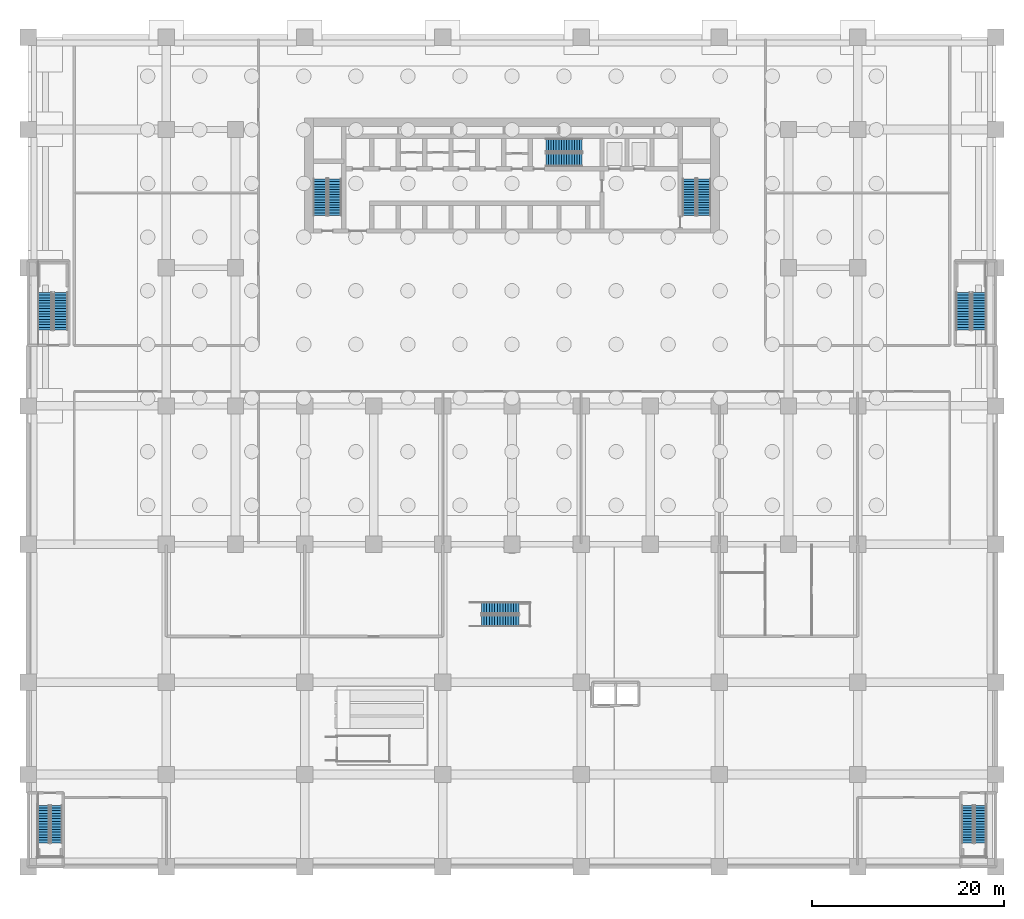
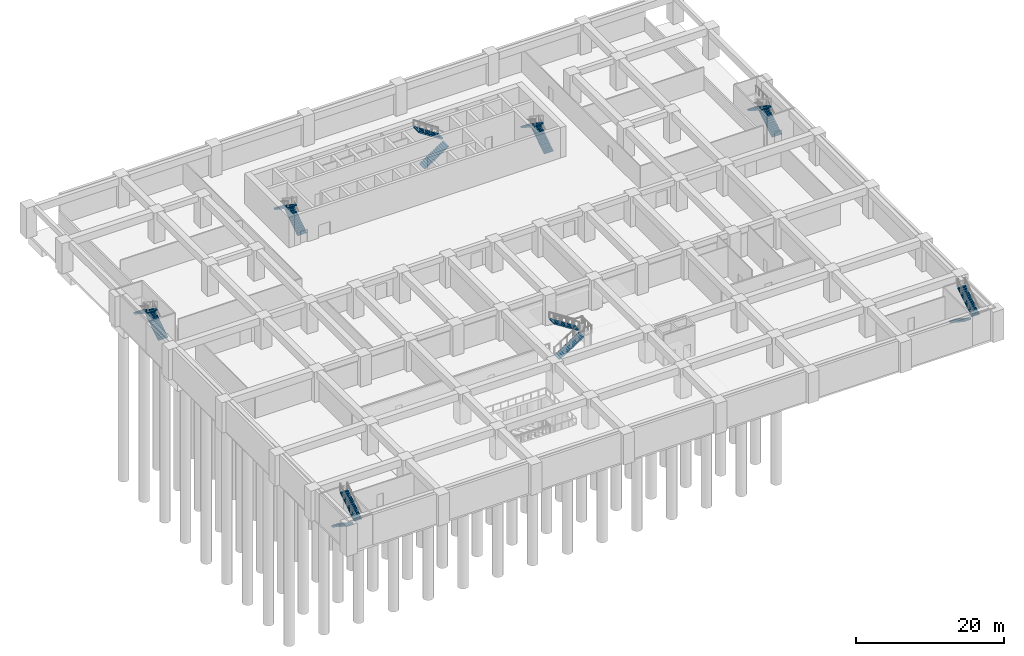
# One storey, part 10 of 20: 16 stair flights, 8 elements without a shape of their own.
"""IFC4 building model written with IfcOpenShell, lengths in metres."""

from ifc_helpers import new_model, si_unit, direction, frame, origin, place, context, subcontext, project, spatial, polyline, outline, extrude, material, layer, layer_set, type_object, element, aggregate, save


model = new_model("IFC4")

# Units and contexts
model_context = context("Model", 3, precision=1e-05, world=origin(), true_north=direction((0.0, 1.0)))
body_context = subcontext(model_context, "Body", "Model", "MODEL_VIEW")
ifc_project = project(units=[si_unit("LENGTHUNIT", "METRE"), si_unit("AREAUNIT", "SQUARE_METRE"), si_unit("VOLUMEUNIT", "CUBIC_METRE"), si_unit("PLANEANGLEUNIT", "RADIAN"), si_unit("MASSUNIT", "GRAM", prefix="KILO")], contexts=[model_context])

# Site, building, storey
site_placement = place(None, origin())
site = spatial("IfcSite", under=ifc_project, at=site_placement, CompositionType="ELEMENT")
building_placement = place(site_placement, origin())
building = spatial("IfcBuilding", under=site, at=building_placement, Name="Saffron Iwan Residences", CompositionType="ELEMENT")
storey_placement = place(building_placement, frame((0.0, 0.0, -5.39990234375)))
storey = spatial("IfcBuildingStorey", under=building, at=storey_placement, Name="B1", CompositionType="ELEMENT", Elevation=-5.39990234375)

# Stair, stair flights
ifc_material_1 = material(Name="Concrete C40/50", Category="concrete")
stair_type_1 = type_object("IfcStairType", Name="Podium stair, reinforced concrete", PredefinedType="HALF_TURN_STAIR", material=ifc_material_1)
stair_1_placement = place(storey_placement, origin())
stair_1 = element("IfcStair", 1, at=stair_1_placement, inside=storey, type_object=stair_type_1, Name="B1 Station Escape Stair 1", PredefinedType="HALF_TURN_STAIR")
stair_flight_type_1 = type_object("IfcStairFlightType", Name="Podium stair flight, reinforced concrete", PredefinedType="STRAIGHT", material=ifc_material_1)
stair_flight_1_placement = place(storey_placement, frame((1.60009765625, 6.39990234375, 0.0), z_axis=(0.0, 0.0, 1.0), x_axis=(0.0, -1.0, 0.0)))
stair_flight_1 = element("IfcStairFlight", 2, at=stair_flight_1_placement, type_object=stair_flight_type_1, Name="SE1 flight 1", NumberOfRisers=15, NumberOfTreads=14, PredefinedType="STRAIGHT", RiserHeight=0.18, TreadLength=0.28, context=body_context, shape_type="SweptSolid", body=[
    extrude(outline(polyline([(0.0, 0.0), (0.0, 0.179931640625), (0.280029296875, 0.179931640625), (0.280029296875, 0.360107421875), (0.56005859375, 0.360107421875), (0.56005859375, 0.5400390625), (0.840087890625, 0.5400390625), (0.840087890625, 0.719970703125), (1.1201171875, 0.719970703125), (1.1201171875, 0.89990234375), (1.39990234375, 0.89990234375), (1.39990234375, 1.080078125), (1.679931640625, 1.080078125), (1.679931640625, 1.260009765625), (1.9599609375, 1.260009765625), (1.9599609375, 1.43994140625), (2.239990234375, 1.43994140625), (2.239990234375, 1.6201171875), (2.52001953125, 1.6201171875), (2.52001953125, 1.800048828125), (2.800048828125, 1.800048828125), (2.800048828125, 1.97998046875), (3.080078125, 1.97998046875), (3.080078125, 2.159912109375), (3.360107421875, 2.159912109375), (3.360107421875, 2.340087890625), (3.639892578125, 2.340087890625), (3.639892578125, 2.52001953125), (3.919921875, 2.52001953125), (3.919921875, 2.699951171875), (3.919921875, 2.341796875), (0.277099609375, 0.0), (0.0, 0.0)])), frame((0.0, 0.60009765625, 0.0), z_axis=(0.0, -1.0, 0.0), x_axis=(1.0, 0.0, 0.0)), (0.0, 0.0, 1.0), 1.199951171875),
])
stair_flight_2_placement = place(storey_placement, frame((2.949951171875, 2.47998046875, 2.699951171875), z_axis=(0.0, 0.0, 1.0), x_axis=(0.0, 1.0, 0.0)))
stair_flight_2 = element("IfcStairFlight", 3, at=stair_flight_2_placement, type_object=stair_flight_type_1, Name="SE1 flight 2", NumberOfRisers=15, NumberOfTreads=14, PredefinedType="STRAIGHT", RiserHeight=0.18, TreadLength=0.28, context=body_context, shape_type="SweptSolid", body=[
    extrude(outline(polyline([(0.0, 0.0), (0.0, 0.179931640625), (0.280029296875, 0.179931640625), (0.280029296875, 0.360107421875), (0.56005859375, 0.360107421875), (0.56005859375, 0.5400390625), (0.840087890625, 0.5400390625), (0.840087890625, 0.719970703125), (1.1201171875, 0.719970703125), (1.1201171875, 0.89990234375), (1.39990234375, 0.89990234375), (1.39990234375, 1.080078125), (1.679931640625, 1.080078125), (1.679931640625, 1.260009765625), (1.9599609375, 1.260009765625), (1.9599609375, 1.43994140625), (2.239990234375, 1.43994140625), (2.239990234375, 1.6201171875), (2.52001953125, 1.6201171875), (2.52001953125, 1.800048828125), (2.800048828125, 1.800048828125), (2.800048828125, 1.97998046875), (3.080078125, 1.97998046875), (3.080078125, 2.159912109375), (3.360107421875, 2.159912109375), (3.360107421875, 2.340087890625), (3.639892578125, 2.340087890625), (3.639892578125, 2.52001953125), (3.919921875, 2.52001953125), (3.919921875, 2.699951171875), (3.919921875, 2.341796875), (0.277099609375, 0.0), (0.0, 0.0)])), frame((0.0, 0.60009765625, 0.0), z_axis=(0.0, -1.0, 0.0), x_axis=(1.0, 0.0, 0.0)), (0.0, 0.0, 1.0), 1.199951171875),
])
aggregate(stair_1, [stair_flight_1, stair_flight_2])

stair_2_placement = place(storey_placement, origin())
stair_2 = element("IfcStair", 4, at=stair_2_placement, inside=storey, type_object=stair_type_1, Name="B1 Station Escape Stair 2", PredefinedType="HALF_TURN_STAIR")
stair_flight_3_placement = place(storey_placement, frame((97.85009765625, 6.39990234375, 0.0), z_axis=(0.0, 0.0, 1.0), x_axis=(0.0, -1.0, 0.0)))
stair_flight_3 = element("IfcStairFlight", 5, at=stair_flight_3_placement, type_object=stair_flight_type_1, Name="SE2 flight 1", NumberOfRisers=15, NumberOfTreads=14, PredefinedType="STRAIGHT", RiserHeight=0.18, TreadLength=0.28, context=body_context, shape_type="SweptSolid", body=[
    extrude(outline(polyline([(0.0, 0.0), (0.0, 0.179931640625), (0.280029296875, 0.179931640625), (0.280029296875, 0.360107421875), (0.56005859375, 0.360107421875), (0.56005859375, 0.5400390625), (0.840087890625, 0.5400390625), (0.840087890625, 0.719970703125), (1.1201171875, 0.719970703125), (1.1201171875, 0.89990234375), (1.39990234375, 0.89990234375), (1.39990234375, 1.080078125), (1.679931640625, 1.080078125), (1.679931640625, 1.260009765625), (1.9599609375, 1.260009765625), (1.9599609375, 1.43994140625), (2.239990234375, 1.43994140625), (2.239990234375, 1.6201171875), (2.52001953125, 1.6201171875), (2.52001953125, 1.800048828125), (2.800048828125, 1.800048828125), (2.800048828125, 1.97998046875), (3.080078125, 1.97998046875), (3.080078125, 2.159912109375), (3.360107421875, 2.159912109375), (3.360107421875, 2.340087890625), (3.639892578125, 2.340087890625), (3.639892578125, 2.52001953125), (3.919921875, 2.52001953125), (3.919921875, 2.699951171875), (3.919921875, 2.341796875), (0.277099609375, 0.0), (0.0, 0.0)])), frame((0.0, 0.60009765625, 0.0), z_axis=(0.0, -1.0, 0.0), x_axis=(1.0, 0.0, 0.0)), (0.0, 0.0, 1.0), 1.199951171875),
])
stair_flight_4_placement = place(storey_placement, frame((99.199951171875, 2.47998046875, 2.699951171875), z_axis=(0.0, 0.0, 1.0), x_axis=(0.0, 1.0, 0.0)))
stair_flight_4 = element("IfcStairFlight", 6, at=stair_flight_4_placement, type_object=stair_flight_type_1, Name="SE2 flight 2", NumberOfRisers=15, NumberOfTreads=14, PredefinedType="STRAIGHT", RiserHeight=0.18, TreadLength=0.28, context=body_context, shape_type="SweptSolid", body=[
    extrude(outline(polyline([(0.0, 0.0), (0.0, 0.179931640625), (0.280029296875, 0.179931640625), (0.280029296875, 0.360107421875), (0.56005859375, 0.360107421875), (0.56005859375, 0.5400390625), (0.840087890625, 0.5400390625), (0.840087890625, 0.719970703125), (1.1201171875, 0.719970703125), (1.1201171875, 0.89990234375), (1.39990234375, 0.89990234375), (1.39990234375, 1.080078125), (1.679931640625, 1.080078125), (1.679931640625, 1.260009765625), (1.9599609375, 1.260009765625), (1.9599609375, 1.43994140625), (2.239990234375, 1.43994140625), (2.239990234375, 1.6201171875), (2.52001953125, 1.6201171875), (2.52001953125, 1.800048828125), (2.800048828125, 1.800048828125), (2.800048828125, 1.97998046875), (3.080078125, 1.97998046875), (3.080078125, 2.159912109375), (3.360107421875, 2.159912109375), (3.360107421875, 2.340087890625), (3.639892578125, 2.340087890625), (3.639892578125, 2.52001953125), (3.919921875, 2.52001953125), (3.919921875, 2.699951171875), (3.919921875, 2.341796875), (0.277099609375, 0.0), (0.0, 0.0)])), frame((0.0, 0.60009765625, 0.0), z_axis=(0.0, -1.0, 0.0), x_axis=(1.0, 0.0, 0.0)), (0.0, 0.0, 1.0), 1.199951171875),
])
aggregate(stair_2, [stair_flight_3, stair_flight_4])

stair_3_placement = place(storey_placement, origin())
stair_3 = element("IfcStair", 7, at=stair_3_placement, inside=storey, type_object=stair_type_1, Name="B1 Podium Stair 3", PredefinedType="HALF_TURN_STAIR")
stair_flight_5_placement = place(storey_placement, frame((3.39990234375, 55.89990234375, 0.0), z_axis=(0.0, 0.0, 1.0), x_axis=(0.0, 1.0, 0.0)))
stair_flight_5 = element("IfcStairFlight", 8, at=stair_flight_5_placement, type_object=stair_flight_type_1, Name="PS3 flight 1", NumberOfRisers=15, NumberOfTreads=14, PredefinedType="STRAIGHT", RiserHeight=0.18, TreadLength=0.28, context=body_context, shape_type="SweptSolid", body=[
    extrude(outline(polyline([(0.0, 0.0), (0.0, 0.179931640625), (0.280029296875, 0.179931640625), (0.280029296875, 0.360107421875), (0.56005859375, 0.360107421875), (0.56005859375, 0.5400390625), (0.840087890625, 0.5400390625), (0.840087890625, 0.719970703125), (1.1201171875, 0.719970703125), (1.1201171875, 0.89990234375), (1.39990234375, 0.89990234375), (1.39990234375, 1.080078125), (1.679931640625, 1.080078125), (1.679931640625, 1.260009765625), (1.9599609375, 1.260009765625), (1.9599609375, 1.43994140625), (2.239990234375, 1.43994140625), (2.239990234375, 1.6201171875), (2.52001953125, 1.6201171875), (2.52001953125, 1.800048828125), (2.800048828125, 1.800048828125), (2.800048828125, 1.97998046875), (3.080078125, 1.97998046875), (3.080078125, 2.159912109375), (3.360107421875, 2.159912109375), (3.360107421875, 2.340087890625), (3.639892578125, 2.340087890625), (3.639892578125, 2.52001953125), (3.919921875, 2.52001953125), (3.919921875, 2.699951171875), (3.919921875, 2.341796875), (0.277099609375, 0.0), (0.0, 0.0)])), frame((0.0, 0.75, 0.0), z_axis=(0.0, -1.0, 0.0), x_axis=(1.0, 0.0, 0.0)), (0.0, 0.0, 1.0), 1.5),
])
stair_flight_6_placement = place(storey_placement, frame((1.75, 59.820068359375, 2.699951171875), z_axis=(0.0, 0.0, 1.0), x_axis=(0.0, -1.0, 0.0)))
stair_flight_6 = element("IfcStairFlight", 9, at=stair_flight_6_placement, type_object=stair_flight_type_1, Name="PS3 flight 2", NumberOfRisers=15, NumberOfTreads=14, PredefinedType="STRAIGHT", RiserHeight=0.18, TreadLength=0.28, context=body_context, shape_type="SweptSolid", body=[
    extrude(outline(polyline([(0.0, 0.0), (0.0, 0.179931640625), (0.280029296875, 0.179931640625), (0.280029296875, 0.360107421875), (0.56005859375, 0.360107421875), (0.56005859375, 0.5400390625), (0.840087890625, 0.5400390625), (0.840087890625, 0.719970703125), (1.1201171875, 0.719970703125), (1.1201171875, 0.89990234375), (1.39990234375, 0.89990234375), (1.39990234375, 1.080078125), (1.679931640625, 1.080078125), (1.679931640625, 1.260009765625), (1.9599609375, 1.260009765625), (1.9599609375, 1.43994140625), (2.239990234375, 1.43994140625), (2.239990234375, 1.6201171875), (2.52001953125, 1.6201171875), (2.52001953125, 1.800048828125), (2.800048828125, 1.800048828125), (2.800048828125, 1.97998046875), (3.080078125, 1.97998046875), (3.080078125, 2.159912109375), (3.360107421875, 2.159912109375), (3.360107421875, 2.340087890625), (3.639892578125, 2.340087890625), (3.639892578125, 2.52001953125), (3.919921875, 2.52001953125), (3.919921875, 2.699951171875), (3.919921875, 2.341796875), (0.277099609375, 0.0), (0.0, 0.0)])), frame((0.0, 0.75, 0.0), z_axis=(0.0, -1.0, 0.0), x_axis=(1.0, 0.0, 0.0)), (0.0, 0.0, 1.0), 1.5),
])
aggregate(stair_3, [stair_flight_5, stair_flight_6])

stair_4_placement = place(storey_placement, origin())
stair_4 = element("IfcStair", 10, at=stair_4_placement, inside=storey, type_object=stair_type_1, Name="B1 Podium Stair 4", PredefinedType="HALF_TURN_STAIR")
stair_flight_7_placement = place(storey_placement, frame((99.050048828125, 55.89990234375, 0.0), z_axis=(0.0, 0.0, 1.0), x_axis=(0.0, 1.0, 0.0)))
stair_flight_7 = element("IfcStairFlight", 11, at=stair_flight_7_placement, type_object=stair_flight_type_1, Name="PS4 flight 1", NumberOfRisers=15, NumberOfTreads=14, PredefinedType="STRAIGHT", RiserHeight=0.18, TreadLength=0.28, context=body_context, shape_type="SweptSolid", body=[
    extrude(outline(polyline([(0.0, 0.0), (0.0, 0.179931640625), (0.280029296875, 0.179931640625), (0.280029296875, 0.360107421875), (0.56005859375, 0.360107421875), (0.56005859375, 0.5400390625), (0.840087890625, 0.5400390625), (0.840087890625, 0.719970703125), (1.1201171875, 0.719970703125), (1.1201171875, 0.89990234375), (1.39990234375, 0.89990234375), (1.39990234375, 1.080078125), (1.679931640625, 1.080078125), (1.679931640625, 1.260009765625), (1.9599609375, 1.260009765625), (1.9599609375, 1.43994140625), (2.239990234375, 1.43994140625), (2.239990234375, 1.6201171875), (2.52001953125, 1.6201171875), (2.52001953125, 1.800048828125), (2.800048828125, 1.800048828125), (2.800048828125, 1.97998046875), (3.080078125, 1.97998046875), (3.080078125, 2.159912109375), (3.360107421875, 2.159912109375), (3.360107421875, 2.340087890625), (3.639892578125, 2.340087890625), (3.639892578125, 2.52001953125), (3.919921875, 2.52001953125), (3.919921875, 2.699951171875), (3.919921875, 2.341796875), (0.277099609375, 0.0), (0.0, 0.0)])), frame((0.0, 0.75, 0.0), z_axis=(0.0, -1.0, 0.0), x_axis=(1.0, 0.0, 0.0)), (0.0, 0.0, 1.0), 1.5),
])
stair_flight_8_placement = place(storey_placement, frame((97.39990234375, 59.820068359375, 2.699951171875), z_axis=(0.0, 0.0, 1.0), x_axis=(0.0, -1.0, 0.0)))
stair_flight_8 = element("IfcStairFlight", 12, at=stair_flight_8_placement, type_object=stair_flight_type_1, Name="PS4 flight 2", NumberOfRisers=15, NumberOfTreads=14, PredefinedType="STRAIGHT", RiserHeight=0.18, TreadLength=0.28, context=body_context, shape_type="SweptSolid", body=[
    extrude(outline(polyline([(0.0, 0.0), (0.0, 0.179931640625), (0.280029296875, 0.179931640625), (0.280029296875, 0.360107421875), (0.56005859375, 0.360107421875), (0.56005859375, 0.5400390625), (0.840087890625, 0.5400390625), (0.840087890625, 0.719970703125), (1.1201171875, 0.719970703125), (1.1201171875, 0.89990234375), (1.39990234375, 0.89990234375), (1.39990234375, 1.080078125), (1.679931640625, 1.080078125), (1.679931640625, 1.260009765625), (1.9599609375, 1.260009765625), (1.9599609375, 1.43994140625), (2.239990234375, 1.43994140625), (2.239990234375, 1.6201171875), (2.52001953125, 1.6201171875), (2.52001953125, 1.800048828125), (2.800048828125, 1.800048828125), (2.800048828125, 1.97998046875), (3.080078125, 1.97998046875), (3.080078125, 2.159912109375), (3.360107421875, 2.159912109375), (3.360107421875, 2.340087890625), (3.639892578125, 2.340087890625), (3.639892578125, 2.52001953125), (3.919921875, 2.52001953125), (3.919921875, 2.699951171875), (3.919921875, 2.341796875), (0.277099609375, 0.0), (0.0, 0.0)])), frame((0.0, 0.75, 0.0), z_axis=(0.0, -1.0, 0.0), x_axis=(1.0, 0.0, 0.0)), (0.0, 0.0, 1.0), 1.5),
])
aggregate(stair_4, [stair_flight_7, stair_flight_8])

stair_5_placement = place(storey_placement, origin())
stair_5 = element("IfcStair", 13, at=stair_5_placement, inside=storey, type_object=stair_type_1, Name="B1 Station Stair 1", PredefinedType="HALF_TURN_STAIR")
stair_flight_9_placement = place(storey_placement, frame((47.199951171875, 25.60009765625, 0.0), z_axis=(0.0, 0.0, 1.0), x_axis=(1.0, 0.0, 0.0)))
stair_flight_9 = element("IfcStairFlight", 14, at=stair_flight_9_placement, type_object=stair_flight_type_1, Name="SP1 flight 1", NumberOfRisers=15, NumberOfTreads=14, PredefinedType="STRAIGHT", RiserHeight=0.18, TreadLength=0.28, context=body_context, shape_type="SweptSolid", body=[
    extrude(outline(polyline([(0.0, 0.0), (0.0, 0.179931640625), (0.280029296875, 0.179931640625), (0.280029296875, 0.360107421875), (0.56005859375, 0.360107421875), (0.56005859375, 0.5400390625), (0.840087890625, 0.5400390625), (0.840087890625, 0.719970703125), (1.1201171875, 0.719970703125), (1.1201171875, 0.89990234375), (1.39990234375, 0.89990234375), (1.39990234375, 1.080078125), (1.679931640625, 1.080078125), (1.679931640625, 1.260009765625), (1.9599609375, 1.260009765625), (1.9599609375, 1.43994140625), (2.239990234375, 1.43994140625), (2.239990234375, 1.6201171875), (2.52001953125, 1.6201171875), (2.52001953125, 1.800048828125), (2.800048828125, 1.800048828125), (2.800048828125, 1.97998046875), (3.080078125, 1.97998046875), (3.080078125, 2.159912109375), (3.360107421875, 2.159912109375), (3.360107421875, 2.340087890625), (3.639892578125, 2.340087890625), (3.639892578125, 2.52001953125), (3.919921875, 2.52001953125), (3.919921875, 2.699951171875), (3.919921875, 2.341796875), (0.277099609375, 0.0), (0.0, 0.0)])), frame((0.0, 0.60009765625, 0.0), z_axis=(0.0, -1.0, 0.0), x_axis=(1.0, 0.0, 0.0)), (0.0, 0.0, 1.0), 1.199951171875),
])
stair_flight_10_placement = place(storey_placement, frame((51.1201171875, 26.949951171875, 2.699951171875), z_axis=(0.0, 0.0, 1.0), x_axis=(-1.0, 0.0, 0.0)))
stair_flight_10 = element("IfcStairFlight", 15, at=stair_flight_10_placement, type_object=stair_flight_type_1, Name="SP1 flight 2", NumberOfRisers=15, NumberOfTreads=14, PredefinedType="STRAIGHT", RiserHeight=0.18, TreadLength=0.28, context=body_context, shape_type="SweptSolid", body=[
    extrude(outline(polyline([(0.0, 0.0), (0.0, 0.179931640625), (0.280029296875, 0.179931640625), (0.280029296875, 0.360107421875), (0.56005859375, 0.360107421875), (0.56005859375, 0.5400390625), (0.840087890625, 0.5400390625), (0.840087890625, 0.719970703125), (1.1201171875, 0.719970703125), (1.1201171875, 0.89990234375), (1.39990234375, 0.89990234375), (1.39990234375, 1.080078125), (1.679931640625, 1.080078125), (1.679931640625, 1.260009765625), (1.9599609375, 1.260009765625), (1.9599609375, 1.43994140625), (2.239990234375, 1.43994140625), (2.239990234375, 1.6201171875), (2.52001953125, 1.6201171875), (2.52001953125, 1.800048828125), (2.800048828125, 1.800048828125), (2.800048828125, 1.97998046875), (3.080078125, 1.97998046875), (3.080078125, 2.159912109375), (3.360107421875, 2.159912109375), (3.360107421875, 2.340087890625), (3.639892578125, 2.340087890625), (3.639892578125, 2.52001953125), (3.919921875, 2.52001953125), (3.919921875, 2.699951171875), (3.919921875, 2.341796875), (0.277099609375, 0.0), (0.0, 0.0)])), frame((0.0, 0.60009765625, 0.0), z_axis=(0.0, -1.0, 0.0), x_axis=(1.0, 0.0, 0.0)), (0.0, 0.0, 1.0), 1.199951171875),
])
aggregate(stair_5, [stair_flight_9, stair_flight_10])

ifc_material_2 = material(Name="Concrete C50/60", Category="concrete")
stair_type_2 = type_object("IfcStairType", Name="Stair ST-CORE", PredefinedType="HALF_TURN_STAIR", material=ifc_material_2)
stair_6_placement = place(storey_placement, origin())
stair_6 = element("IfcStair", 16, at=stair_6_placement, inside=storey, type_object=stair_type_2, Name="B1 Exit Stair ST-W", PredefinedType="HALF_TURN_STAIR")
ifc_layer = layer(ifc_material_2, 0.14990234375)
ifc_layer_set = layer_set([ifc_layer], Name="Concrete C50/60")
stair_flight_type_2 = type_object("IfcStairFlightType", Name="Stair flight SFL-RC", PredefinedType="STRAIGHT", material=ifc_layer_set)
stair_flight_11_placement = place(storey_placement, frame((31.949951171875, 67.85009765625, 0.0), z_axis=(0.0, 0.0, 1.0), x_axis=(0.0, 1.0, 0.0)))
stair_flight_11 = element("IfcStairFlight", 17, at=stair_flight_11_placement, type_object=stair_flight_type_2, Name="ST-W flight 1", NumberOfRisers=15, NumberOfTreads=14, PredefinedType="STRAIGHT", RiserHeight=0.18, TreadLength=0.27, context=body_context, shape_type="SweptSolid", body=[
    extrude(outline(polyline([(0.0, 0.0), (0.0, 0.179931640625), (0.27001953125, 0.179931640625), (0.27001953125, 0.360107421875), (0.5400390625, 0.360107421875), (0.5400390625, 0.5400390625), (0.81005859375, 0.5400390625), (0.81005859375, 0.719970703125), (1.080078125, 0.719970703125), (1.080078125, 0.89990234375), (1.35009765625, 0.89990234375), (1.35009765625, 1.080078125), (1.6201171875, 1.080078125), (1.6201171875, 1.260009765625), (1.889892578125, 1.260009765625), (1.889892578125, 1.43994140625), (2.159912109375, 1.43994140625), (2.159912109375, 1.6201171875), (2.429931640625, 1.6201171875), (2.429931640625, 1.800048828125), (2.699951171875, 1.800048828125), (2.699951171875, 1.97998046875), (2.969970703125, 1.97998046875), (2.969970703125, 2.159912109375), (3.239990234375, 2.159912109375), (3.239990234375, 2.340087890625), (3.510009765625, 2.340087890625), (3.510009765625, 2.52001953125), (3.780029296875, 2.52001953125), (3.780029296875, 2.699951171875), (3.780029296875, 2.33984375), (0.270263671875, 0.0), (0.0, 0.0)])), frame((0.0, 0.699951171875, 0.0), z_axis=(0.0, -1.0, 0.0), x_axis=(1.0, 0.0, 0.0)), (0.0, 0.0, 1.0), 1.39990234375),
])
stair_flight_12_placement = place(storey_placement, frame((30.39990234375, 71.6298828125, 2.699951171875), z_axis=(0.0, 0.0, 1.0), x_axis=(0.0, -1.0, 0.0)))
stair_flight_12 = element("IfcStairFlight", 18, at=stair_flight_12_placement, type_object=stair_flight_type_2, Name="ST-W flight 2", NumberOfRisers=15, NumberOfTreads=14, PredefinedType="STRAIGHT", RiserHeight=0.18, TreadLength=0.27, context=body_context, shape_type="SweptSolid", body=[
    extrude(outline(polyline([(0.0, 0.0), (0.0, 0.179931640625), (0.27001953125, 0.179931640625), (0.27001953125, 0.360107421875), (0.5400390625, 0.360107421875), (0.5400390625, 0.5400390625), (0.81005859375, 0.5400390625), (0.81005859375, 0.719970703125), (1.080078125, 0.719970703125), (1.080078125, 0.89990234375), (1.35009765625, 0.89990234375), (1.35009765625, 1.080078125), (1.6201171875, 1.080078125), (1.6201171875, 1.260009765625), (1.889892578125, 1.260009765625), (1.889892578125, 1.43994140625), (2.159912109375, 1.43994140625), (2.159912109375, 1.6201171875), (2.429931640625, 1.6201171875), (2.429931640625, 1.800048828125), (2.699951171875, 1.800048828125), (2.699951171875, 1.97998046875), (2.969970703125, 1.97998046875), (2.969970703125, 2.159912109375), (3.239990234375, 2.159912109375), (3.239990234375, 2.340087890625), (3.510009765625, 2.340087890625), (3.510009765625, 2.52001953125), (3.780029296875, 2.52001953125), (3.780029296875, 2.699951171875), (3.780029296875, 2.33984375), (0.270263671875, 0.0), (0.0, 0.0)])), frame((0.0, 0.699951171875, 0.0), z_axis=(0.0, -1.0, 0.0), x_axis=(1.0, 0.0, 0.0)), (0.0, 0.0, 1.0), 1.39990234375),
])
aggregate(stair_6, [stair_flight_11, stair_flight_12])

stair_7_placement = place(storey_placement, origin())
stair_7 = element("IfcStair", 19, at=stair_7_placement, inside=storey, type_object=stair_type_2, Name="B1 Exit Stair ST-C", PredefinedType="HALF_TURN_STAIR")
stair_flight_13_placement = place(storey_placement, frame((53.925048828125, 73.625, 0.0), z_axis=(0.0, 0.0, 1.0), x_axis=(1.0, 0.0, 0.0)))
stair_flight_13 = element("IfcStairFlight", 20, at=stair_flight_13_placement, type_object=stair_flight_type_2, Name="ST-C flight 1", NumberOfRisers=15, NumberOfTreads=14, PredefinedType="STRAIGHT", RiserHeight=0.18, TreadLength=0.27, context=body_context, shape_type="SweptSolid", body=[
    extrude(outline(polyline([(0.0, 0.0), (0.0, 0.179931640625), (0.27001953125, 0.179931640625), (0.27001953125, 0.360107421875), (0.5400390625, 0.360107421875), (0.5400390625, 0.5400390625), (0.81005859375, 0.5400390625), (0.81005859375, 0.719970703125), (1.080078125, 0.719970703125), (1.080078125, 0.89990234375), (1.35009765625, 0.89990234375), (1.35009765625, 1.080078125), (1.6201171875, 1.080078125), (1.6201171875, 1.260009765625), (1.889892578125, 1.260009765625), (1.889892578125, 1.43994140625), (2.159912109375, 1.43994140625), (2.159912109375, 1.6201171875), (2.429931640625, 1.6201171875), (2.429931640625, 1.800048828125), (2.699951171875, 1.800048828125), (2.699951171875, 1.97998046875), (2.969970703125, 1.97998046875), (2.969970703125, 2.159912109375), (3.239990234375, 2.159912109375), (3.239990234375, 2.340087890625), (3.510009765625, 2.340087890625), (3.510009765625, 2.52001953125), (3.780029296875, 2.52001953125), (3.780029296875, 2.699951171875), (3.780029296875, 2.33984375), (0.270263671875, 0.0), (0.0, 0.0)])), frame((0.0, 0.699951171875, 0.0), z_axis=(0.0, -1.0, 0.0), x_axis=(1.0, 0.0, 0.0)), (0.0, 0.0, 1.0), 1.39990234375),
])
stair_flight_14_placement = place(storey_placement, frame((57.705078125, 75.175048828125, 2.699951171875), z_axis=(0.0, 0.0, 1.0), x_axis=(-1.0, 0.0, 0.0)))
stair_flight_14 = element("IfcStairFlight", 21, at=stair_flight_14_placement, type_object=stair_flight_type_2, Name="ST-C flight 2", NumberOfRisers=15, NumberOfTreads=14, PredefinedType="STRAIGHT", RiserHeight=0.18, TreadLength=0.27, context=body_context, shape_type="SweptSolid", body=[
    extrude(outline(polyline([(0.0, 0.0), (0.0, 0.179931640625), (0.27001953125, 0.179931640625), (0.27001953125, 0.360107421875), (0.5400390625, 0.360107421875), (0.5400390625, 0.5400390625), (0.81005859375, 0.5400390625), (0.81005859375, 0.719970703125), (1.080078125, 0.719970703125), (1.080078125, 0.89990234375), (1.35009765625, 0.89990234375), (1.35009765625, 1.080078125), (1.6201171875, 1.080078125), (1.6201171875, 1.260009765625), (1.889892578125, 1.260009765625), (1.889892578125, 1.43994140625), (2.159912109375, 1.43994140625), (2.159912109375, 1.6201171875), (2.429931640625, 1.6201171875), (2.429931640625, 1.800048828125), (2.699951171875, 1.800048828125), (2.699951171875, 1.97998046875), (2.969970703125, 1.97998046875), (2.969970703125, 2.159912109375), (3.239990234375, 2.159912109375), (3.239990234375, 2.340087890625), (3.510009765625, 2.340087890625), (3.510009765625, 2.52001953125), (3.780029296875, 2.52001953125), (3.780029296875, 2.699951171875), (3.780029296875, 2.33984375), (0.270263671875, 0.0), (0.0, 0.0)])), frame((0.0, 0.699951171875, 0.0), z_axis=(0.0, -1.0, 0.0), x_axis=(1.0, 0.0, 0.0)), (0.0, 0.0, 1.0), 1.39990234375),
])
aggregate(stair_7, [stair_flight_13, stair_flight_14])

stair_8_placement = place(storey_placement, origin())
stair_8 = element("IfcStair", 22, at=stair_8_placement, inside=storey, type_object=stair_type_2, Name="B1 Exit Stair ST-E", PredefinedType="HALF_TURN_STAIR")
stair_flight_15_placement = place(storey_placement, frame((70.39990234375, 67.85009765625, 0.0), z_axis=(0.0, 0.0, 1.0), x_axis=(0.0, 1.0, 0.0)))
stair_flight_15 = element("IfcStairFlight", 23, at=stair_flight_15_placement, type_object=stair_flight_type_2, Name="ST-E flight 1", NumberOfRisers=15, NumberOfTreads=14, PredefinedType="STRAIGHT", RiserHeight=0.18, TreadLength=0.27, context=body_context, shape_type="SweptSolid", body=[
    extrude(outline(polyline([(0.0, 0.0), (0.0, 0.179931640625), (0.27001953125, 0.179931640625), (0.27001953125, 0.360107421875), (0.5400390625, 0.360107421875), (0.5400390625, 0.5400390625), (0.81005859375, 0.5400390625), (0.81005859375, 0.719970703125), (1.080078125, 0.719970703125), (1.080078125, 0.89990234375), (1.35009765625, 0.89990234375), (1.35009765625, 1.080078125), (1.6201171875, 1.080078125), (1.6201171875, 1.260009765625), (1.889892578125, 1.260009765625), (1.889892578125, 1.43994140625), (2.159912109375, 1.43994140625), (2.159912109375, 1.6201171875), (2.429931640625, 1.6201171875), (2.429931640625, 1.800048828125), (2.699951171875, 1.800048828125), (2.699951171875, 1.97998046875), (2.969970703125, 1.97998046875), (2.969970703125, 2.159912109375), (3.239990234375, 2.159912109375), (3.239990234375, 2.340087890625), (3.510009765625, 2.340087890625), (3.510009765625, 2.52001953125), (3.780029296875, 2.52001953125), (3.780029296875, 2.699951171875), (3.780029296875, 2.33984375), (0.270263671875, 0.0), (0.0, 0.0)])), frame((0.0, 0.699951171875, 0.0), z_axis=(0.0, -1.0, 0.0), x_axis=(1.0, 0.0, 0.0)), (0.0, 0.0, 1.0), 1.39990234375),
])
stair_flight_16_placement = place(storey_placement, frame((68.85009765625, 71.6298828125, 2.699951171875), z_axis=(0.0, 0.0, 1.0), x_axis=(0.0, -1.0, 0.0)))
stair_flight_16 = element("IfcStairFlight", 24, at=stair_flight_16_placement, type_object=stair_flight_type_2, Name="ST-E flight 2", NumberOfRisers=15, NumberOfTreads=14, PredefinedType="STRAIGHT", RiserHeight=0.18, TreadLength=0.27, context=body_context, shape_type="SweptSolid", body=[
    extrude(outline(polyline([(0.0, 0.0), (0.0, 0.179931640625), (0.27001953125, 0.179931640625), (0.27001953125, 0.360107421875), (0.5400390625, 0.360107421875), (0.5400390625, 0.5400390625), (0.81005859375, 0.5400390625), (0.81005859375, 0.719970703125), (1.080078125, 0.719970703125), (1.080078125, 0.89990234375), (1.35009765625, 0.89990234375), (1.35009765625, 1.080078125), (1.6201171875, 1.080078125), (1.6201171875, 1.260009765625), (1.889892578125, 1.260009765625), (1.889892578125, 1.43994140625), (2.159912109375, 1.43994140625), (2.159912109375, 1.6201171875), (2.429931640625, 1.6201171875), (2.429931640625, 1.800048828125), (2.699951171875, 1.800048828125), (2.699951171875, 1.97998046875), (2.969970703125, 1.97998046875), (2.969970703125, 2.159912109375), (3.239990234375, 2.159912109375), (3.239990234375, 2.340087890625), (3.510009765625, 2.340087890625), (3.510009765625, 2.52001953125), (3.780029296875, 2.52001953125), (3.780029296875, 2.699951171875), (3.780029296875, 2.33984375), (0.270263671875, 0.0), (0.0, 0.0)])), frame((0.0, 0.699951171875, 0.0), z_axis=(0.0, -1.0, 0.0), x_axis=(1.0, 0.0, 0.0)), (0.0, 0.0, 1.0), 1.39990234375),
])
aggregate(stair_8, [stair_flight_15, stair_flight_16])

save(model, "model.ifc")
